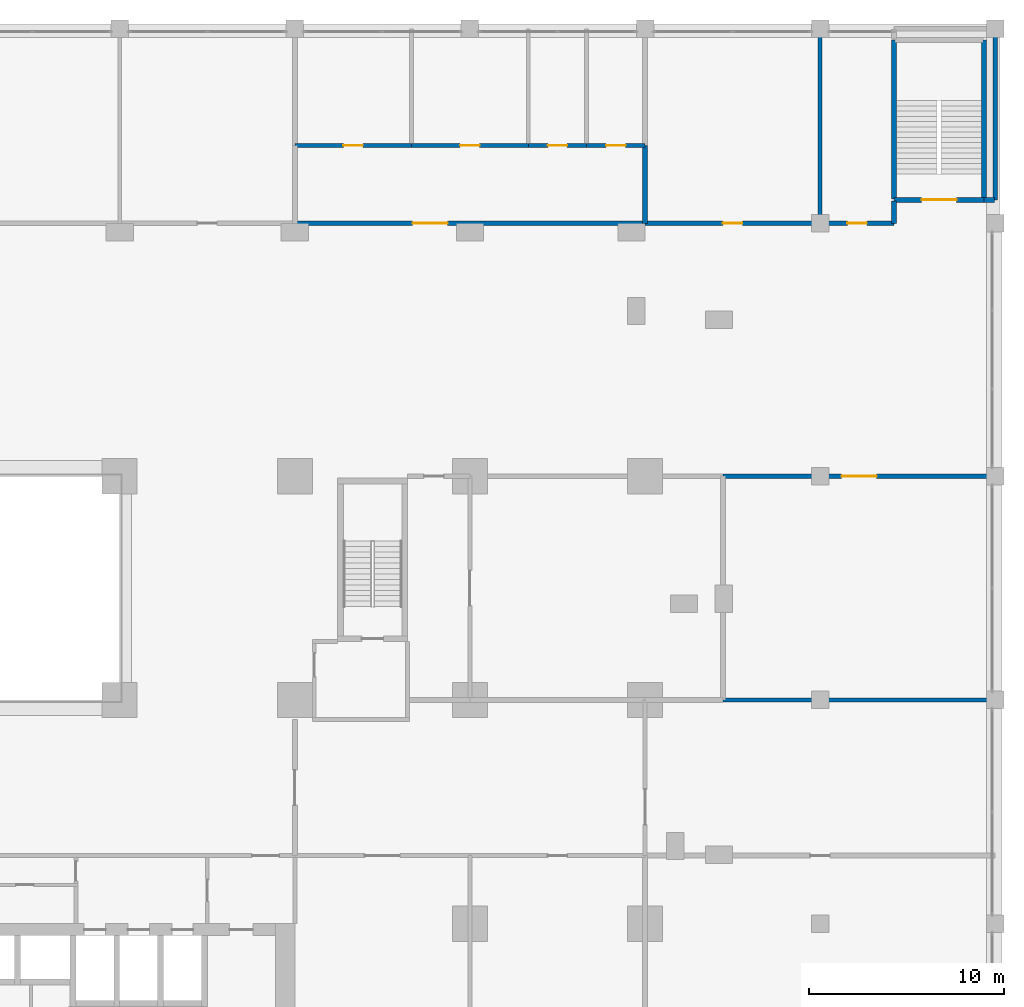
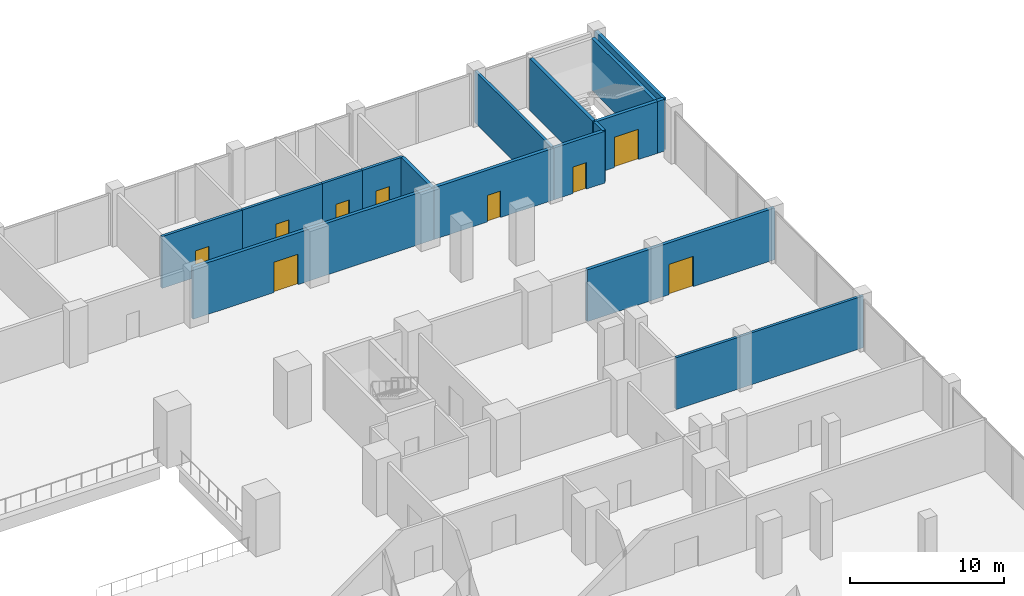
# One storey, part 19 of 22: 17 walls, 9 doors, 9 openings.
"""IFC4 building model written with IfcOpenShell, lengths in metres."""

from ifc_helpers import new_model, si_unit, direction, frame, frame_2d, origin, place, context, subcontext, project, spatial, rectangle, extrude, material, layer, layer_set, type_object, element, fill, save


model = new_model("IFC4")

# Units and contexts
model_context = context("Model", 3, precision=1e-05, world=origin(), true_north=direction((0.0, 1.0)))
body_context = subcontext(model_context, "Body", "Model", "MODEL_VIEW")
ifc_project = project(units=[si_unit("LENGTHUNIT", "METRE"), si_unit("AREAUNIT", "SQUARE_METRE"), si_unit("VOLUMEUNIT", "CUBIC_METRE"), si_unit("PLANEANGLEUNIT", "RADIAN"), si_unit("MASSUNIT", "GRAM", prefix="KILO")], contexts=[model_context])

# Site, building, storey
site_placement = place(None, origin())
site = spatial("IfcSite", under=ifc_project, at=site_placement, CompositionType="ELEMENT")
building_placement = place(site_placement, origin())
building = spatial("IfcBuilding", under=site, at=building_placement, Name="Brigalow Station Residences", CompositionType="ELEMENT")
storey_placement = place(building_placement, frame((0.0, 0.0, 6.5)))
storey = spatial("IfcBuildingStorey", under=building, at=storey_placement, Name="L01", CompositionType="ELEMENT", Elevation=6.5)

# Wall
ifc_material_1 = material(Name="Fire-rated plasterboard on steel studs", Category="steel")
ifc_layer_1 = layer(ifc_material_1, 0.25)
ifc_layer_set_1 = layer_set([ifc_layer_1], Name="FIRE PARTITION 250")
wall_type_1 = type_object("IfcWallType", Name="FIRE PARTITION 250", PredefinedType="PARTITIONING", material=ifc_layer_set_1)
wall_1_placement = place(storey_placement, frame((89.425048828125, 49.699951171875, 0.0), z_axis=(0.0, 0.0, 1.0), x_axis=(1.0, 0.0, 0.0)))
element("IfcWall", 1, at=wall_1_placement, inside=storey, type_object=wall_type_1, Name="Fire Partition 250 Mezzanine Gallery / Exit Stair St-5 Services Riser", PredefinedType="PARTITIONING", context=body_context, shape_type="SweptSolid", body=[
    extrude(rectangle(XDim=0.530029296875, YDim=0.25, at=frame_2d((0.26513671875, 0.0))), origin(), (0.0, 0.0, 1.0), 4.097900390625),
])

# Wall, opening, door
wall_2_placement = place(storey_placement, frame((72.0, 48.5, 0.0), z_axis=(0.0, 0.0, 1.0), x_axis=(1.0, 0.0, 0.0)))
wall_2 = element("IfcWall", 2, at=wall_2_placement, inside=storey, type_object=wall_type_1, Name="Fire Partition 250 Mezzanine Gallery / Retail Unit 7", PredefinedType="PARTITIONING", context=body_context, shape_type="SweptSolid", body=[
    extrude(rectangle(XDim=9.0, YDim=0.25, at=frame_2d((4.5, 0.0))), origin(), (0.0, 0.0, 1.0), 4.097900390625),
])
opening_1_placement = place(wall_2_placement, frame((4.0, 0.0, 0.0)))
opening_1 = element("IfcOpeningElement", 3, at=opening_1_placement, cuts=wall_2, Name="Opening D-7309", PredefinedType="OPENING", context=body_context, shape_type="SweptSolid", body=[
    extrude(rectangle(XDim=1.0, YDim=2.10009765625, at=frame_2d((0.5, 1.050048828125))), frame((0.0, 0.135009765625, 0.0), z_axis=(0.0, -1.0, 0.0), x_axis=(1.0, 0.0, 0.0)), (0.0, 0.0, 1.0), 0.27001953125),
])
ifc_material_2 = material(Name="Steel fire door leaf in steel frame", Category="steel")
door_type_1 = type_object("IfcDoorType", Name="DOOR SINGLE 1000 FIRE", OperationType="SINGLE_SWING_LEFT", PredefinedType="DOOR", material=ifc_material_2)
door_1_placement = place(opening_1_placement, origin())
door_1 = element("IfcDoor", 4, at=door_1_placement, inside=storey, type_object=door_type_1, Name="Retail unit 7 door", OperationType="SINGLE_SWING_RIGHT", OverallHeight=2.10009765625, OverallWidth=1.0, PredefinedType="DOOR", context=body_context, shape_type="SweptSolid", body=[
    extrude(rectangle(XDim=1.0, YDim=2.10009765625, at=frame_2d((0.5, 1.050048828125))), frame((0.0, 0.02490234375, 0.0), z_axis=(0.0, -1.0, 0.0), x_axis=(1.0, 0.0, 0.0)), (0.0, 0.0, 1.0), 0.050048828125),
])
fill(opening_1, door_1)

wall_3_placement = place(storey_placement, frame((81.0, 48.5, 0.0), z_axis=(0.0, 0.0, 1.0), x_axis=(1.0, 0.0, 0.0)))
wall_3 = element("IfcWall", 5, at=wall_3_placement, inside=storey, type_object=wall_type_1, Name="Fire Partition 250 Mezzanine Gallery / Retail Unit 8", PredefinedType="PARTITIONING", context=body_context, shape_type="SweptSolid", body=[
    extrude(rectangle(XDim=3.800048828125, YDim=0.25, at=frame_2d((1.89990234375, 0.0))), origin(), (0.0, 0.0, 1.0), 4.097900390625),
])
opening_2_placement = place(wall_3_placement, frame((1.39990234375, 0.0, 0.0)))
opening_2 = element("IfcOpeningElement", 6, at=opening_2_placement, cuts=wall_3, Name="Opening D-7310", PredefinedType="OPENING", context=body_context, shape_type="SweptSolid", body=[
    extrude(rectangle(XDim=1.0, YDim=2.10009765625, at=frame_2d((0.5, 1.050048828125))), frame((0.0, 0.135009765625, 0.0), z_axis=(0.0, -1.0, 0.0), x_axis=(1.0, 0.0, 0.0)), (0.0, 0.0, 1.0), 0.27001953125),
])
door_2_placement = place(opening_2_placement, origin())
door_2 = element("IfcDoor", 7, at=door_2_placement, inside=storey, type_object=door_type_1, Name="Retail unit 8 door", OperationType="SINGLE_SWING_RIGHT", OverallHeight=2.10009765625, OverallWidth=1.0, PredefinedType="DOOR", context=body_context, shape_type="SweptSolid", body=[
    extrude(rectangle(XDim=1.0, YDim=2.10009765625, at=frame_2d((0.5, 1.050048828125))), frame((0.0, 0.02490234375, 0.0), z_axis=(0.0, -1.0, 0.0), x_axis=(1.0, 0.0, 0.0)), (0.0, 0.0, 1.0), 0.050048828125),
])
fill(opening_2, door_2)

# Wall
wall_4_placement = place(storey_placement, frame((84.800048828125, 48.5, 0.0), z_axis=(0.0, 0.0, 1.0), x_axis=(0.0, 1.0, 0.0)))
element("IfcWall", 8, at=wall_4_placement, inside=storey, type_object=wall_type_1, Name="Fire Partition 250 Mezzanine Gallery / Retail Unit 8", PredefinedType="PARTITIONING", context=body_context, shape_type="SweptSolid", body=[
    extrude(rectangle(XDim=1.155029296875, YDim=0.25, at=frame_2d((0.57763671875, 0.0))), origin(), (0.0, 0.0, 1.0), 4.097900390625),
])

# Wall, opening, door
wall_5_placement = place(storey_placement, frame((54.0, 48.5, 0.0), z_axis=(0.0, 0.0, 1.0), x_axis=(1.0, 0.0, 0.0)))
wall_5 = element("IfcWall", 9, at=wall_5_placement, inside=storey, type_object=wall_type_1, Name="Fire Partition 250 Mezzanine Gallery / Public Wc Lobby", PredefinedType="PARTITIONING", context=body_context, shape_type="SweptSolid", body=[
    extrude(rectangle(XDim=18.0, YDim=0.25, at=frame_2d((9.0, 0.0))), origin(), (0.0, 0.0, 1.0), 4.097900390625),
])
opening_3_placement = place(wall_5_placement, frame((6.050048828125, 0.0, 0.0)))
opening_3 = element("IfcOpeningElement", 10, at=opening_3_placement, cuts=wall_5, Name="Opening D-7315", PredefinedType="OPENING", context=body_context, shape_type="SweptSolid", body=[
    extrude(rectangle(XDim=1.800048828125, YDim=2.39990234375, at=frame_2d((0.89990234375, 1.199951171875))), frame((0.0, 0.135009765625, 0.0), z_axis=(0.0, -1.0, 0.0), x_axis=(1.0, 0.0, 0.0)), (0.0, 0.0, 1.0), 0.27001953125),
])
ifc_material_3 = material(Name="Steel fire door leaves in steel frame", Category="steel")
door_type_2 = type_object("IfcDoorType", Name="DOOR DOUBLE 1800 FIRE", OperationType="DOUBLE_DOOR_SINGLE_SWING", PredefinedType="DOOR", material=ifc_material_3)
door_3_placement = place(opening_3_placement, origin())
door_3 = element("IfcDoor", 11, at=door_3_placement, inside=storey, type_object=door_type_2, Name="Public WC lobby door", OperationType="DOUBLE_DOOR_SINGLE_SWING", OverallHeight=2.39990234375, OverallWidth=1.800048828125, PredefinedType="DOOR", context=body_context, shape_type="SweptSolid", body=[
    extrude(rectangle(XDim=1.800048828125, YDim=2.39990234375, at=frame_2d((0.89990234375, 1.199951171875))), frame((0.0, 0.02490234375, 0.0), z_axis=(0.0, -1.0, 0.0), x_axis=(1.0, 0.0, 0.0)), (0.0, 0.0, 1.0), 0.050048828125),
])
fill(opening_3, door_3)

wall_6_placement = place(storey_placement, frame((76.0, 35.5, 0.0), z_axis=(0.0, 0.0, 1.0), x_axis=(1.0, 0.0, 0.0)))
wall_6 = element("IfcWall", 12, at=wall_6_placement, inside=storey, type_object=wall_type_1, Name="Fire Partition 250 Mezzanine Gallery / Storage Room", PredefinedType="PARTITIONING", context=body_context, shape_type="SweptSolid", body=[
    extrude(rectangle(XDim=14.0, YDim=0.25, at=frame_2d((7.0, 0.0))), origin(), (0.0, 0.0, 1.0), 4.097900390625),
])
opening_4_placement = place(wall_6_placement, frame((6.10009765625, 0.0, 0.0)))
opening_4 = element("IfcOpeningElement", 13, at=opening_4_placement, cuts=wall_6, Name="Opening D-7330", PredefinedType="OPENING", context=body_context, shape_type="SweptSolid", body=[
    extrude(rectangle(XDim=1.800048828125, YDim=2.39990234375, at=frame_2d((0.89990234375, 1.199951171875))), frame((0.0, 0.135009765625, 0.0), z_axis=(0.0, -1.0, 0.0), x_axis=(1.0, 0.0, 0.0)), (0.0, 0.0, 1.0), 0.27001953125),
])
door_4_placement = place(opening_4_placement, frame((1.800048828125, 0.0, 0.0), z_axis=(0.0, 0.0, 1.0), x_axis=(-1.0, 0.0, 0.0)))
door_4 = element("IfcDoor", 14, at=door_4_placement, inside=storey, type_object=door_type_2, Name="Storage room door", OperationType="DOUBLE_DOOR_SINGLE_SWING", OverallHeight=2.39990234375, OverallWidth=1.800048828125, PredefinedType="DOOR", context=body_context, shape_type="SweptSolid", body=[
    extrude(rectangle(XDim=1.800048828125, YDim=2.39990234375, at=frame_2d((0.89990234375, 1.199951171875))), frame((0.0, 0.02490234375, 0.0), z_axis=(0.0, -1.0, 0.0), x_axis=(1.0, 0.0, 0.0)), (0.0, 0.0, 1.0), 0.050048828125),
])
fill(opening_4, door_4)

# Walls
wall_7_placement = place(storey_placement, frame((72.0, 48.5, 0.0), z_axis=(0.0, 0.0, 1.0), x_axis=(0.0, 1.0, 0.0)))
element("IfcWall", 15, at=wall_7_placement, inside=storey, type_object=wall_type_1, Name="Fire Partition 250 Retail Unit 7 / Public Wc Lobby", PredefinedType="PARTITIONING", context=body_context, shape_type="SweptSolid", body=[
    extrude(rectangle(XDim=4.0, YDim=0.25, at=frame_2d((2.0, 0.0))), origin(), (0.0, 0.0, 1.0), 4.097900390625),
])
ifc_material_4 = material(Name="Plasterboard on steel studs with acoustic insulation", Category="steel")
ifc_layer_2 = layer(ifc_material_4, 0.199951171875)
ifc_layer_set_2 = layer_set([ifc_layer_2], Name="PARTITION 200")
wall_type_2 = type_object("IfcWallType", Name="PARTITION 200", PredefinedType="PARTITIONING", material=ifc_layer_set_2)
wall_8_placement = place(storey_placement, frame((81.0, 48.5, 0.0), z_axis=(0.0, 0.0, 1.0), x_axis=(0.0, 1.0, 0.0)))
element("IfcWall", 16, at=wall_8_placement, inside=storey, type_object=wall_type_2, Name="Partition 200 Retail Unit 7 / Retail Unit 8", PredefinedType="PARTITIONING", context=body_context, shape_type="SweptSolid", body=[
    extrude(rectangle(XDim=10.0, YDim=0.199951171875, at=frame_2d((5.0, 0.0))), origin(), (0.0, 0.0, 1.0), 4.097900390625),
])

# Wall, opening, door
wall_9_placement = place(storey_placement, frame((54.0, 52.5, 0.0), z_axis=(0.0, 0.0, 1.0), x_axis=(1.0, 0.0, 0.0)))
wall_9 = element("IfcWall", 17, at=wall_9_placement, inside=storey, type_object=wall_type_2, Name="Partition 200 Public Wc Lobby / Women'S Wc", PredefinedType="PARTITIONING", context=body_context, shape_type="SweptSolid", body=[
    extrude(rectangle(XDim=6.0, YDim=0.199951171875, at=frame_2d((3.0, 0.0))), origin(), (0.0, 0.0, 1.0), 4.097900390625),
])
opening_5_placement = place(wall_9_placement, frame((2.5, 0.0, 0.0)))
opening_5 = element("IfcOpeningElement", 18, at=opening_5_placement, cuts=wall_9, Name="Opening D-7316", PredefinedType="OPENING", context=body_context, shape_type="SweptSolid", body=[
    extrude(rectangle(XDim=1.0, YDim=2.10009765625, at=frame_2d((0.5, 1.050048828125))), frame((0.0, 0.10986328125, 0.0), z_axis=(0.0, -1.0, 0.0), x_axis=(1.0, 0.0, 0.0)), (0.0, 0.0, 1.0), 0.219970703125),
])
door_5_placement = place(opening_5_placement, origin())
door_5 = element("IfcDoor", 19, at=door_5_placement, inside=storey, type_object=door_type_1, Name="Women's WC door", OperationType="SINGLE_SWING_RIGHT", OverallHeight=2.10009765625, OverallWidth=1.0, PredefinedType="DOOR", context=body_context, shape_type="SweptSolid", body=[
    extrude(rectangle(XDim=1.0, YDim=2.10009765625, at=frame_2d((0.5, 1.050048828125))), frame((0.0, 0.02490234375, 0.0), z_axis=(0.0, -1.0, 0.0), x_axis=(1.0, 0.0, 0.0)), (0.0, 0.0, 1.0), 0.050048828125),
])
fill(opening_5, door_5)

wall_10_placement = place(storey_placement, frame((60.0, 52.5, 0.0), z_axis=(0.0, 0.0, 1.0), x_axis=(1.0, 0.0, 0.0)))
wall_10 = element("IfcWall", 20, at=wall_10_placement, inside=storey, type_object=wall_type_2, Name="Partition 200 Public Wc Lobby / Men'S Wc", PredefinedType="PARTITIONING", context=body_context, shape_type="SweptSolid", body=[
    extrude(rectangle(XDim=6.0, YDim=0.199951171875, at=frame_2d((3.0, 0.0))), origin(), (0.0, 0.0, 1.0), 4.097900390625),
])
opening_6_placement = place(wall_10_placement, frame((2.5, 0.0, 0.0)))
opening_6 = element("IfcOpeningElement", 21, at=opening_6_placement, cuts=wall_10, Name="Opening D-7317", PredefinedType="OPENING", context=body_context, shape_type="SweptSolid", body=[
    extrude(rectangle(XDim=1.0, YDim=2.10009765625, at=frame_2d((0.5, 1.050048828125))), frame((0.0, 0.10986328125, 0.0), z_axis=(0.0, -1.0, 0.0), x_axis=(1.0, 0.0, 0.0)), (0.0, 0.0, 1.0), 0.219970703125),
])
door_6_placement = place(opening_6_placement, origin())
door_6 = element("IfcDoor", 22, at=door_6_placement, inside=storey, type_object=door_type_1, Name="Men's WC door", OperationType="SINGLE_SWING_RIGHT", OverallHeight=2.10009765625, OverallWidth=1.0, PredefinedType="DOOR", context=body_context, shape_type="SweptSolid", body=[
    extrude(rectangle(XDim=1.0, YDim=2.10009765625, at=frame_2d((0.5, 1.050048828125))), frame((0.0, 0.02490234375, 0.0), z_axis=(0.0, -1.0, 0.0), x_axis=(1.0, 0.0, 0.0)), (0.0, 0.0, 1.0), 0.050048828125),
])
fill(opening_6, door_6)

wall_11_placement = place(storey_placement, frame((66.0, 52.5, 0.0), z_axis=(0.0, 0.0, 1.0), x_axis=(1.0, 0.0, 0.0)))
wall_11 = element("IfcWall", 23, at=wall_11_placement, inside=storey, type_object=wall_type_2, Name="Partition 200 Public Wc Lobby / Accessible Wc", PredefinedType="PARTITIONING", context=body_context, shape_type="SweptSolid", body=[
    extrude(rectangle(XDim=3.0, YDim=0.199951171875, at=frame_2d((1.5, 0.0))), origin(), (0.0, 0.0, 1.0), 4.097900390625),
])
opening_7_placement = place(wall_11_placement, frame((1.0, 0.0, 0.0)))
opening_7 = element("IfcOpeningElement", 24, at=opening_7_placement, cuts=wall_11, Name="Opening D-7318", PredefinedType="OPENING", context=body_context, shape_type="SweptSolid", body=[
    extrude(rectangle(XDim=1.0, YDim=2.10009765625, at=frame_2d((0.5, 1.050048828125))), frame((0.0, 0.10986328125, 0.0), z_axis=(0.0, -1.0, 0.0), x_axis=(1.0, 0.0, 0.0)), (0.0, 0.0, 1.0), 0.219970703125),
])
ifc_material_5 = material(Name="Timber door leaf in steel frame", Category="steel")
door_type_3 = type_object("IfcDoorType", Name="DOOR ACCESSIBLE 1000", OperationType="SINGLE_SWING_RIGHT", PredefinedType="DOOR", material=ifc_material_5)
door_7_placement = place(opening_7_placement, origin())
door_7 = element("IfcDoor", 25, at=door_7_placement, inside=storey, type_object=door_type_3, Name="Accessible WC door", OperationType="SINGLE_SWING_RIGHT", OverallHeight=2.10009765625, OverallWidth=1.0, PredefinedType="DOOR", context=body_context, shape_type="SweptSolid", body=[
    extrude(rectangle(XDim=1.0, YDim=2.10009765625, at=frame_2d((0.5, 1.050048828125))), frame((0.0, 0.02490234375, 0.0), z_axis=(0.0, -1.0, 0.0), x_axis=(1.0, 0.0, 0.0)), (0.0, 0.0, 1.0), 0.050048828125),
])
fill(opening_7, door_7)

wall_12_placement = place(storey_placement, frame((69.0, 52.5, 0.0), z_axis=(0.0, 0.0, 1.0), x_axis=(1.0, 0.0, 0.0)))
wall_12 = element("IfcWall", 26, at=wall_12_placement, inside=storey, type_object=wall_type_2, Name="Partition 200 Public Wc Lobby / Cleaners Store", PredefinedType="PARTITIONING", context=body_context, shape_type="SweptSolid", body=[
    extrude(rectangle(XDim=3.0, YDim=0.199951171875, at=frame_2d((1.5, 0.0))), origin(), (0.0, 0.0, 1.0), 4.097900390625),
])
opening_8_placement = place(wall_12_placement, frame((1.0, 0.0, 0.0)))
opening_8 = element("IfcOpeningElement", 27, at=opening_8_placement, cuts=wall_12, Name="Opening D-7319", PredefinedType="OPENING", context=body_context, shape_type="SweptSolid", body=[
    extrude(rectangle(XDim=1.0, YDim=2.10009765625, at=frame_2d((0.5, 1.050048828125))), frame((0.0, 0.10986328125, 0.0), z_axis=(0.0, -1.0, 0.0), x_axis=(1.0, 0.0, 0.0)), (0.0, 0.0, 1.0), 0.219970703125),
])
door_8_placement = place(opening_8_placement, origin())
door_8 = element("IfcDoor", 28, at=door_8_placement, inside=storey, type_object=door_type_1, Name="Cleaners store door", OperationType="SINGLE_SWING_LEFT", OverallHeight=2.10009765625, OverallWidth=1.0, PredefinedType="DOOR", context=body_context, shape_type="SweptSolid", body=[
    extrude(rectangle(XDim=1.0, YDim=2.10009765625, at=frame_2d((0.5, 1.050048828125))), frame((0.0, 0.02490234375, 0.0), z_axis=(0.0, -1.0, 0.0), x_axis=(1.0, 0.0, 0.0)), (0.0, 0.0, 1.0), 0.050048828125),
])
fill(opening_8, door_8)

# Wall
wall_13_placement = place(storey_placement, frame((76.0, 24.0, 0.0), z_axis=(0.0, 0.0, 1.0), x_axis=(1.0, 0.0, 0.0)))
element("IfcWall", 29, at=wall_13_placement, inside=storey, type_object=wall_type_2, Name="Partition 200 Storage Room / Music Room", PredefinedType="PARTITIONING", context=body_context, shape_type="SweptSolid", body=[
    extrude(rectangle(XDim=14.0, YDim=0.199951171875, at=frame_2d((7.0, 0.0))), origin(), (0.0, 0.0, 1.0), 4.097900390625),
])

# Wall, opening, door
ifc_material_6 = material(Name="Concrete C50", Category="concrete")
ifc_layer_3 = layer(ifc_material_6, 0.25)
ifc_layer_set_3 = layer_set([ifc_layer_3], Name="STAIR ENCLOSURE 250")
wall_type_3 = type_object("IfcWallType", Name="STAIR ENCLOSURE 250", PredefinedType="SOLIDWALL", material=ifc_layer_set_3)
wall_14_placement = place(storey_placement, frame((84.800048828125, 49.699951171875, 0.0), z_axis=(0.0, 0.0, 1.0), x_axis=(1.0, 0.0, 0.0)))
wall_14 = element("IfcWall", 30, at=wall_14_placement, inside=storey, type_object=wall_type_3, Name="Stair Enclosure 250 Mezzanine Gallery / Exit Stair St-5", PredefinedType="SOLIDWALL", context=body_context, shape_type="SweptSolid", body=[
    extrude(rectangle(XDim=4.625, YDim=0.25, at=frame_2d((2.3125, 0.0))), origin(), (0.0, 0.0, 1.0), 4.097900390625),
])
opening_9_placement = place(wall_14_placement, frame((1.4130859375, 0.0, 0.0)))
opening_9 = element("IfcOpeningElement", 31, at=opening_9_placement, cuts=wall_14, Name="Opening D-7312", PredefinedType="OPENING", context=body_context, shape_type="SweptSolid", body=[
    extrude(rectangle(XDim=1.800048828125, YDim=2.39990234375, at=frame_2d((0.89990234375, 1.199951171875))), frame((0.0, 0.135009765625, 0.0), z_axis=(0.0, -1.0, 0.0), x_axis=(1.0, 0.0, 0.0)), (0.0, 0.0, 1.0), 0.27001953125),
])
door_9_placement = place(opening_9_placement, origin())
door_9 = element("IfcDoor", 32, at=door_9_placement, inside=storey, type_object=door_type_2, Name="Exit stair ST-5 door", OperationType="DOUBLE_DOOR_SINGLE_SWING", OverallHeight=2.39990234375, OverallWidth=1.800048828125, PredefinedType="DOOR", context=body_context, shape_type="SweptSolid", body=[
    extrude(rectangle(XDim=1.800048828125, YDim=2.39990234375, at=frame_2d((0.89990234375, 1.199951171875))), frame((0.0, 0.02490234375, 0.0), z_axis=(0.0, -1.0, 0.0), x_axis=(1.0, 0.0, 0.0)), (0.0, 0.0, 1.0), 0.050048828125),
])
fill(opening_9, door_9)

# Walls
for number, where, z_axis, x_axis, name in (
    (33, (89.425048828125, 49.7451171875, 0.0), (0.0, 0.0, 1.0), (0.0, 1.0, 0.0), "Stair Enclosure 250 Exit Stair St-5 / Exit Stair St-5 Services Riser"),
    (34, (84.800048828125, 49.7451171875, 0.0), (0.0, 0.0, 1.0), (0.0, 1.0, 0.0), "Stair Enclosure 250 Exit Stair St-5 / Retail Unit 8"),
):
    element("IfcWall", number, at=place(storey_placement, frame(where, z_axis=z_axis, x_axis=x_axis)), inside=storey, type_object=wall_type_3, Name=name, PredefinedType="SOLIDWALL", context=body_context, shape_type="SweptSolid", body=[
        extrude(rectangle(XDim=8.179931640625, YDim=0.25, at=frame_2d((4.08984375, 0.0))), origin(), (0.0, 0.0, 1.0), 4.097900390625),
    ])
ifc_material_7 = material(Name="Concrete C50", Category="concrete")
ifc_layer_4 = layer(ifc_material_7, 0.25)
ifc_layer_set_4 = layer_set([ifc_layer_4], Name="STAIR ROOF WALL 250")
wall_type_4 = type_object("IfcWallType", Name="STAIR ROOF WALL 250", PredefinedType="SOLIDWALL", material=ifc_layer_set_4)
wall_15_placement = place(storey_placement, frame((90.0, 49.699951171875, 0.0), z_axis=(0.0, 0.0, 1.0), x_axis=(0.0, 1.0, 0.0)))
element("IfcWall", 35, at=wall_15_placement, inside=storey, type_object=wall_type_4, Name="Stair Roof Wall 250 Exit Stair St-5 Services Riser / OUT", PredefinedType="SOLIDWALL", context=body_context, shape_type="SweptSolid", body=[
    extrude(rectangle(XDim=8.800048828125, YDim=0.25, at=frame_2d((4.39990234375, 0.0))), origin(), (0.0, 0.0, 1.0), 4.097900390625),
])

save(model, "model.ifc")
